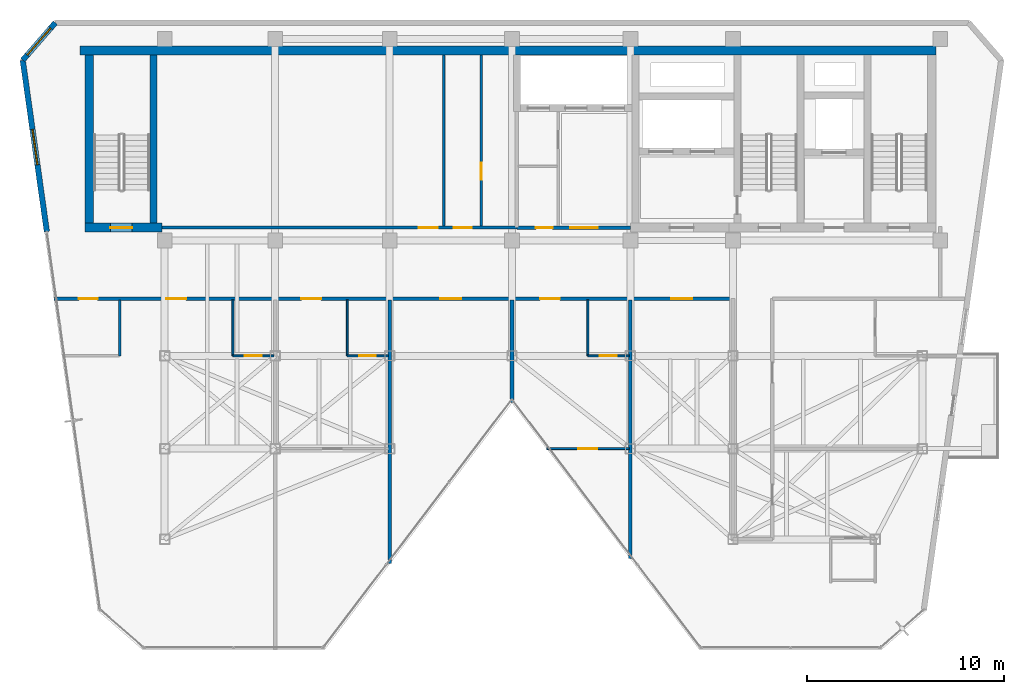
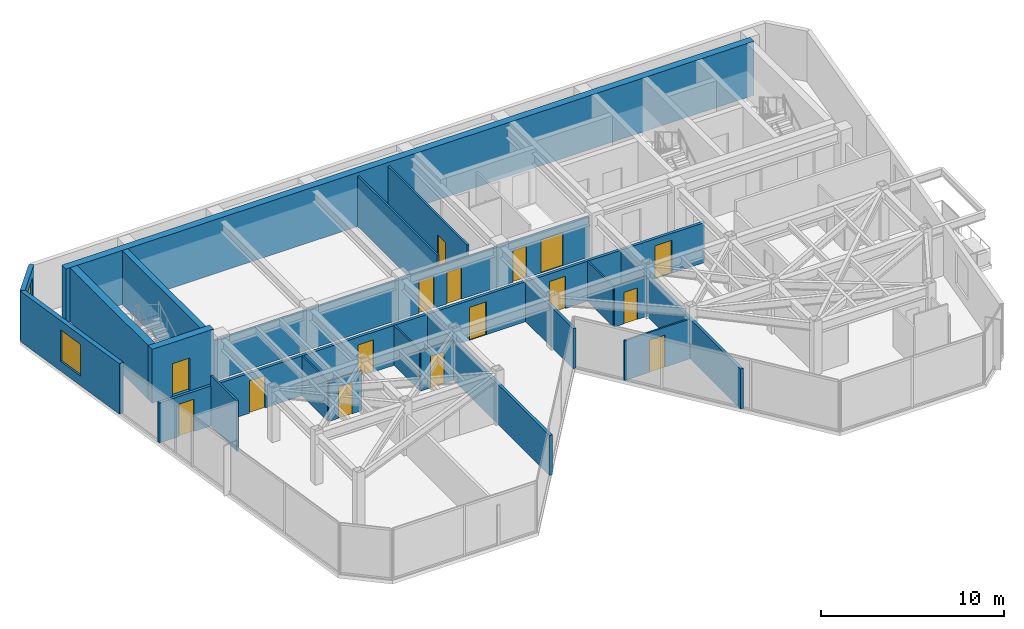
# One storey, part 16 of 20: 22 walls, 16 doors, 2 windows, 18 openings.
"""IFC4 building model written with IfcOpenShell, lengths in metres."""

from ifc_helpers import new_model, si_unit, direction, frame, frame_2d, origin, place, context, subcontext, project, spatial, rectangle, extrude, material, layer, layer_set, type_object, element, fill, save


model = new_model("IFC4")

# Units and contexts
model_context = context("Model", 3, precision=1e-05, world=origin(), true_north=direction((0.0, 1.0)))
body_context = subcontext(model_context, "Body", "Model", "MODEL_VIEW")
ifc_project = project(units=[si_unit("LENGTHUNIT", "METRE"), si_unit("AREAUNIT", "SQUARE_METRE"), si_unit("VOLUMEUNIT", "CUBIC_METRE"), si_unit("PLANEANGLEUNIT", "RADIAN"), si_unit("MASSUNIT", "GRAM", prefix="KILO")], contexts=[model_context])

# Site, building, storey
site_placement = place(None, origin())
site = spatial("IfcSite", under=ifc_project, at=site_placement, CompositionType="ELEMENT")
building_placement = place(site_placement, origin())
building = spatial("IfcBuilding", under=site, at=building_placement, Name="Kravanh Interchange Tower", CompositionType="ELEMENT")
storey_placement = place(building_placement, frame((0.0, 0.0, 238.199951171875)))
storey = spatial("IfcBuildingStorey", under=building, at=storey_placement, Name="L57", CompositionType="ELEMENT", Elevation=238.199951171875)

# Wall
ifc_material_1 = material(Name="Double Acoustic Gypsum Board and Mineral Wool")
ifc_layer_1 = layer(ifc_material_1, 0.1201171875)
ifc_layer_set_1 = layer_set([ifc_layer_1], Name="Acoustic Office Drywall Partition 120mm")
wall_type_1 = type_object("IfcWallType", Name="Acoustic Office Drywall Partition 120mm", PredefinedType="PARTITIONING", material=ifc_layer_set_1)
wall_1_placement = place(storey_placement, frame((41.35009765625, 38.068115234375, 0.0), z_axis=(0.0, 0.0, 1.0), x_axis=(0.0, 1.0, 0.0)))
element("IfcWall", 1, at=wall_1_placement, inside=storey, type_object=wall_type_1, Name="L57 Interior Partition 7", PredefinedType="PARTITIONING", context=body_context, shape_type="SweptSolid", body=[
    extrude(rectangle(XDim=8.673828125, YDim=0.1201171875, at=frame_2d((4.3369140625, 0.0))), origin(), (0.0, 0.0, 1.0), 3.360107421875),
])

# Wall, opening, door
wall_2_placement = place(storey_placement, frame((43.25, 38.068115234375, 0.0), z_axis=(0.0, 0.0, 1.0), x_axis=(0.0, 1.0, 0.0)))
wall_2 = element("IfcWall", 2, at=wall_2_placement, inside=storey, type_object=wall_type_1, Name="L57 Interior Partition 8", PredefinedType="PARTITIONING", context=body_context, shape_type="SweptSolid", body=[
    extrude(rectangle(XDim=8.673828125, YDim=0.1201171875, at=frame_2d((4.3369140625, 0.0))), origin(), (0.0, 0.0, 1.0), 3.360107421875),
])
opening_1_placement = place(wall_2_placement, frame((2.365966796875, 0.0, 0.0)))
opening_1 = element("IfcOpeningElement", 3, at=opening_1_placement, cuts=wall_2, Name="Opening D-85", PredefinedType="OPENING", context=body_context, shape_type="SweptSolid", body=[
    extrude(rectangle(XDim=0.85009765625, YDim=2.10009765625, at=frame_2d((0.425048828125, 1.050048828125))), frame((0.0, 0.070068359375, 0.0), z_axis=(0.0, -1.0, 0.0), x_axis=(1.0, 0.0, 0.0)), (0.0, 0.0, 1.0), 0.14013671875),
])
ifc_material_2 = material(Name="Engineered Teak Veneer Timber", Category="wood")
door_type_1 = type_object("IfcDoorType", Name="En-Suite Timber Door 850x2100", OperationType="NOTDEFINED", PredefinedType="DOOR", material=ifc_material_2)
door_1_placement = place(opening_1_placement, origin())
door_1 = element("IfcDoor", 4, at=door_1_placement, inside=storey, type_object=door_type_1, Name="L57 Pantry Store Inner Door", OperationType="SINGLE_SWING_LEFT", OverallHeight=2.10009765625, OverallWidth=0.85009765625, PredefinedType="DOOR", context=body_context, shape_type="SweptSolid", body=[
    extrude(rectangle(XDim=0.85009765625, YDim=2.10009765625, at=frame_2d((0.425048828125, 1.050048828125))), frame((0.0, 0.02490234375, 0.0), z_axis=(0.0, -1.0, 0.0), x_axis=(1.0, 0.0, 0.0)), (0.0, 0.0, 1.0), 0.050048828125),
])
fill(opening_1, door_1)

# Walls
wall_3_placement = place(storey_placement, frame((24.919921875, 31.5, 0.0), z_axis=(0.0, 0.0, 1.0), x_axis=(0.0, 1.0, 0.0)))
element("IfcWall", 5, at=wall_3_placement, inside=storey, type_object=wall_type_1, Name="L57 Interior Partition 15", PredefinedType="PARTITIONING", context=body_context, shape_type="SweptSolid", body=[
    extrude(rectangle(XDim=2.83203125, YDim=0.1201171875, at=frame_2d((1.416015625, 0.0))), origin(), (0.0, 0.0, 1.0), 3.360107421875),
])
ifc_material_3 = material(Name="Concrete C60/75", Category="concrete")
ifc_layer_2 = layer(ifc_material_3, 0.35009765625)
ifc_layer_set_2 = layer_set([ifc_layer_2], Name="Core Shear Wall Concrete C60/75 350mm")
wall_type_2 = type_object("IfcWallType", Name="Core Shear Wall Concrete C60/75 350mm", PredefinedType="SHEAR", material=ifc_layer_set_2)
wall_4_placement = place(storey_placement, frame((26.625, 38.22509765625, 0.0), z_axis=(0.0, 0.0, 1.0), x_axis=(0.0, 1.0, 0.0)))
element("IfcWall", 6, at=wall_4_placement, inside=storey, type_object=wall_type_2, Name="L57 Stair ST3 East Shear Wall", PredefinedType="SHEAR", context=body_context, shape_type="SweptSolid", body=[
    extrude(rectangle(XDim=8.52490234375, YDim=0.35009765625, at=frame_2d((4.262451171875, 0.0))), origin(), (0.0, 0.0, 1.0), 3.60009765625),
])
ifc_material_4 = material(Name="Concrete C60/75", Category="concrete")
ifc_layer_3 = layer(ifc_material_4, 0.449951171875)
ifc_layer_set_3 = layer_set([ifc_layer_3], Name="Core Shear Wall Concrete C60/75 450mm")
wall_type_3 = type_object("IfcWallType", Name="Core Shear Wall Concrete C60/75 450mm", PredefinedType="SHEAR", material=ifc_layer_set_3)
wall_5_placement = place(storey_placement, frame((22.89990234375, 46.97509765625, 0.0), z_axis=(0.0, 0.0, 1.0), x_axis=(1.0, 0.0, 0.0)))
element("IfcWall", 7, at=wall_5_placement, inside=storey, type_object=wall_type_3, Name="L57 North Core Shear Wall", PredefinedType="SHEAR", context=body_context, shape_type="SweptSolid", body=[
    extrude(rectangle(XDim=43.400146484375, YDim=0.449951171875, at=frame_2d((21.7001953125, 0.0))), origin(), (0.0, 0.0, 1.0), 3.60009765625),
])

# Wall, opening, door
wall_6_placement = place(storey_placement, frame((23.14990234375, 38.0, 0.0), z_axis=(0.0, 0.0, 1.0), x_axis=(1.0, 0.0, 0.0)))
wall_6 = element("IfcWall", 8, at=wall_6_placement, inside=storey, type_object=wall_type_3, Name="L57 Stair ST3 South Shear Wall", PredefinedType="SHEAR", context=body_context, shape_type="SweptSolid", body=[
    extrude(rectangle(XDim=3.900146484375, YDim=0.449951171875, at=frame_2d((1.9501953125, 0.0))), origin(), (0.0, 0.0, 1.0), 3.60009765625),
])
opening_2_placement = place(wall_6_placement, frame((1.300048828125, 0.0, 0.0)))
opening_2 = element("IfcOpeningElement", 9, at=opening_2_placement, cuts=wall_6, Name="Opening D-STAIR-110", PredefinedType="OPENING", context=body_context, shape_type="SweptSolid", body=[
    extrude(rectangle(XDim=1.10009765625, YDim=2.199951171875, at=frame_2d((0.550048828125, 1.10009765625))), frame((0.0, 0.23486328125, 0.0), z_axis=(0.0, -1.0, 0.0), x_axis=(1.0, 0.0, 0.0)), (0.0, 0.0, 1.0), 0.469970703125),
])
ifc_material_5 = material(Name="Structural Steel S355", Category="steel")
door_type_2 = type_object("IfcDoorType", Name="Fire-Rated Exit Stair Door 1100x2200", OperationType="NOTDEFINED", PredefinedType="DOOR", material=ifc_material_5)
door_2_placement = place(opening_2_placement, origin())
door_2 = element("IfcDoor", 10, at=door_2_placement, inside=storey, type_object=door_type_2, Name="L57 Exit Stair ST3 Door", OperationType="SINGLE_SWING_RIGHT", OverallHeight=2.199951171875, OverallWidth=1.10009765625, PredefinedType="DOOR", context=body_context, shape_type="SweptSolid", body=[
    extrude(rectangle(XDim=1.10009765625, YDim=2.199951171875, at=frame_2d((0.550048828125, 1.10009765625))), frame((0.0, 0.02490234375, 0.0), z_axis=(0.0, -1.0, 0.0), x_axis=(1.0, 0.0, 0.0)), (0.0, 0.0, 1.0), 0.050048828125),
])
fill(opening_2, door_2)

# Walls
wall_7_placement = place(storey_placement, frame((23.375, 38.22509765625, 0.0), z_axis=(0.0, 0.0, 1.0), x_axis=(0.0, 1.0, 0.0)))
element("IfcWall", 11, at=wall_7_placement, inside=storey, type_object=wall_type_3, Name="L57 Stair ST3 West Shear Wall", PredefinedType="SHEAR", context=body_context, shape_type="SweptSolid", body=[
    extrude(rectangle(XDim=8.52490234375, YDim=0.449951171875, at=frame_2d((4.262451171875, 0.0))), origin(), (0.0, 0.0, 1.0), 3.60009765625),
])
ifc_material_6 = material(Name="Moisture-Resistant Gypsum Board and Mineral Wool")
ifc_layer_4 = layer(ifc_material_6, 0.10009765625)
ifc_layer_set_4 = layer_set([ifc_layer_4], Name="En-Suite Moisture-Resistant Partition 100mm")
wall_type_4 = type_object("IfcWallType", Name="En-Suite Moisture-Resistant Partition 100mm", PredefinedType="PARTITIONING", material=ifc_layer_set_4)
wall_8_placement = place(storey_placement, frame((30.64990234375, 31.5, 0.0), z_axis=(0.0, 0.0, 1.0), x_axis=(0.0, 1.0, 0.0)))
element("IfcWall", 12, at=wall_8_placement, inside=storey, type_object=wall_type_4, Name="L57 Interior Partition 24", PredefinedType="PARTITIONING", context=body_context, shape_type="SweptSolid", body=[
    extrude(rectangle(XDim=2.83203125, YDim=0.10009765625, at=frame_2d((1.416015625, 0.0))), origin(), (0.0, 0.0, 1.0), 2.6640625),
])

# Wall, opening, door
wall_9_placement = place(storey_placement, frame((30.64990234375, 31.5, 0.0), z_axis=(0.0, 0.0, 1.0), x_axis=(1.0, 0.0, 0.0)))
wall_9 = element("IfcWall", 13, at=wall_9_placement, inside=storey, type_object=wall_type_4, Name="L57 Interior Partition 25", PredefinedType="PARTITIONING", context=body_context, shape_type="SweptSolid", body=[
    extrude(rectangle(XDim=2.08203125, YDim=0.10009765625, at=frame_2d((1.041015625, 0.0))), origin(), (0.0, 0.0, 1.0), 2.6640625),
])
opening_3_placement = place(wall_9_placement, frame((0.607421875, 0.0, 0.0)))
opening_3 = element("IfcOpeningElement", 14, at=opening_3_placement, cuts=wall_9, Name="Opening D-85", PredefinedType="OPENING", context=body_context, shape_type="SweptSolid", body=[
    extrude(rectangle(XDim=0.85009765625, YDim=2.10009765625, at=frame_2d((0.425048828125, 1.050048828125))), frame((0.0, 0.06005859375, 0.0), z_axis=(0.0, -1.0, 0.0), x_axis=(1.0, 0.0, 0.0)), (0.0, 0.0, 1.0), 0.1201171875),
])
door_3_placement = place(opening_3_placement, origin())
door_3 = element("IfcDoor", 15, at=door_3_placement, inside=storey, type_object=door_type_1, Name="L57 En-suite Bathroom Door", OperationType="SINGLE_SWING_RIGHT", OverallHeight=2.10009765625, OverallWidth=0.85009765625, PredefinedType="DOOR", context=body_context, shape_type="SweptSolid", body=[
    extrude(rectangle(XDim=0.85009765625, YDim=2.10009765625, at=frame_2d((0.425048828125, 1.050048828125))), frame((0.0, 0.02490234375, 0.0), z_axis=(0.0, -1.0, 0.0), x_axis=(1.0, 0.0, 0.0)), (0.0, 0.0, 1.0), 0.050048828125),
])
fill(opening_3, door_3)

# Wall
wall_10_placement = place(storey_placement, frame((36.449951171875, 31.5, 0.0), z_axis=(0.0, 0.0, 1.0), x_axis=(0.0, 1.0, 0.0)))
element("IfcWall", 16, at=wall_10_placement, inside=storey, type_object=wall_type_4, Name="L57 Interior Partition 28", PredefinedType="PARTITIONING", context=body_context, shape_type="SweptSolid", body=[
    extrude(rectangle(XDim=2.83203125, YDim=0.10009765625, at=frame_2d((1.416015625, 0.0))), origin(), (0.0, 0.0, 1.0), 2.6640625),
])

# Wall, opening, door
wall_11_placement = place(storey_placement, frame((36.449951171875, 31.5, 0.0), z_axis=(0.0, 0.0, 1.0), x_axis=(1.0, 0.0, 0.0)))
wall_11 = element("IfcWall", 17, at=wall_11_placement, inside=storey, type_object=wall_type_4, Name="L57 Interior Partition 29", PredefinedType="PARTITIONING", context=body_context, shape_type="SweptSolid", body=[
    extrude(rectangle(XDim=2.08203125, YDim=0.10009765625, at=frame_2d((1.041015625, 0.0))), origin(), (0.0, 0.0, 1.0), 2.6640625),
])
opening_4_placement = place(wall_11_placement, frame((0.607421875, 0.0, 0.0)))
opening_4 = element("IfcOpeningElement", 18, at=opening_4_placement, cuts=wall_11, Name="Opening D-85", PredefinedType="OPENING", context=body_context, shape_type="SweptSolid", body=[
    extrude(rectangle(XDim=0.85009765625, YDim=2.10009765625, at=frame_2d((0.425048828125, 1.050048828125))), frame((0.0, 0.06005859375, 0.0), z_axis=(0.0, -1.0, 0.0), x_axis=(1.0, 0.0, 0.0)), (0.0, 0.0, 1.0), 0.1201171875),
])
door_4_placement = place(opening_4_placement, origin())
door_4 = element("IfcDoor", 19, at=door_4_placement, inside=storey, type_object=door_type_1, Name="L57 En-suite Bathroom Door", OperationType="SINGLE_SWING_LEFT", OverallHeight=2.10009765625, OverallWidth=0.85009765625, PredefinedType="DOOR", context=body_context, shape_type="SweptSolid", body=[
    extrude(rectangle(XDim=0.85009765625, YDim=2.10009765625, at=frame_2d((0.425048828125, 1.050048828125))), frame((0.0, 0.02490234375, 0.0), z_axis=(0.0, -1.0, 0.0), x_axis=(1.0, 0.0, 0.0)), (0.0, 0.0, 1.0), 0.050048828125),
])
fill(opening_4, door_4)

wall_12_placement = place(storey_placement, frame((46.56689453125, 26.800048828125, 0.0), z_axis=(0.0, 0.0, 1.0), x_axis=(1.0, 0.0, 0.0)))
wall_12 = element("IfcWall", 20, at=wall_12_placement, inside=storey, type_object=wall_type_4, Name="L57 Interior Partition 32", PredefinedType="PARTITIONING", context=body_context, shape_type="SweptSolid", body=[
    extrude(rectangle(XDim=4.1650390625, YDim=0.10009765625, at=frame_2d((2.08251953125, 0.0))), origin(), (0.0, 0.0, 1.0), 2.6640625),
])
opening_5_placement = place(wall_12_placement, frame((1.6015625, 0.0, 0.0)))
opening_5 = element("IfcOpeningElement", 21, at=opening_5_placement, cuts=wall_12, Name="Opening D-95", PredefinedType="OPENING", context=body_context, shape_type="SweptSolid", body=[
    extrude(rectangle(XDim=0.949951171875, YDim=2.14990234375, at=frame_2d((0.47509765625, 1.074951171875))), frame((0.0, 0.06005859375, 0.0), z_axis=(0.0, -1.0, 0.0), x_axis=(1.0, 0.0, 0.0)), (0.0, 0.0, 1.0), 0.1201171875),
])
ifc_material_7 = material(Name="Laminate Solid-Core Timber", Category="wood")
door_type_3 = type_object("IfcDoorType", Name="Accessible Restroom Door 950x2150", OperationType="NOTDEFINED", PredefinedType="DOOR", material=ifc_material_7)
door_5_placement = place(opening_5_placement, origin())
door_5 = element("IfcDoor", 22, at=door_5_placement, inside=storey, type_object=door_type_3, Name="L57 Sunroom Alcove Inner Door", OperationType="SINGLE_SWING_LEFT", OverallHeight=2.14990234375, OverallWidth=0.949951171875, PredefinedType="DOOR", context=body_context, shape_type="SweptSolid", body=[
    extrude(rectangle(XDim=0.949951171875, YDim=2.14990234375, at=frame_2d((0.47509765625, 1.074951171875))), frame((0.0, 0.02490234375, 0.0), z_axis=(0.0, -1.0, 0.0), x_axis=(1.0, 0.0, 0.0)), (0.0, 0.0, 1.0), 0.050048828125),
])
fill(opening_5, door_5)

# Wall
wall_13_placement = place(storey_placement, frame((48.64990234375, 31.5, 0.0), z_axis=(0.0, 0.0, 1.0), x_axis=(0.0, 1.0, 0.0)))
element("IfcWall", 23, at=wall_13_placement, inside=storey, type_object=wall_type_4, Name="L57 Interior Partition 33", PredefinedType="PARTITIONING", context=body_context, shape_type="SweptSolid", body=[
    extrude(rectangle(XDim=2.83203125, YDim=0.10009765625, at=frame_2d((1.416015625, 0.0))), origin(), (0.0, 0.0, 1.0), 2.6640625),
])

# Wall, opening, door
wall_14_placement = place(storey_placement, frame((48.64990234375, 31.5, 0.0), z_axis=(0.0, 0.0, 1.0), x_axis=(1.0, 0.0, 0.0)))
wall_14 = element("IfcWall", 24, at=wall_14_placement, inside=storey, type_object=wall_type_4, Name="L57 Interior Partition 34", PredefinedType="PARTITIONING", context=body_context, shape_type="SweptSolid", body=[
    extrude(rectangle(XDim=2.08203125, YDim=0.10009765625, at=frame_2d((1.041015625, 0.0))), origin(), (0.0, 0.0, 1.0), 2.6640625),
])
opening_6_placement = place(wall_14_placement, frame((0.607421875, 0.0, 0.0)))
opening_6 = element("IfcOpeningElement", 25, at=opening_6_placement, cuts=wall_14, Name="Opening D-85", PredefinedType="OPENING", context=body_context, shape_type="SweptSolid", body=[
    extrude(rectangle(XDim=0.85009765625, YDim=2.10009765625, at=frame_2d((0.425048828125, 1.050048828125))), frame((0.0, 0.06005859375, 0.0), z_axis=(0.0, -1.0, 0.0), x_axis=(1.0, 0.0, 0.0)), (0.0, 0.0, 1.0), 0.1201171875),
])
door_6_placement = place(opening_6_placement, origin())
door_6 = element("IfcDoor", 26, at=door_6_placement, inside=storey, type_object=door_type_1, Name="L57 En-suite Bathroom Door", OperationType="SINGLE_SWING_LEFT", OverallHeight=2.10009765625, OverallWidth=0.85009765625, PredefinedType="DOOR", context=body_context, shape_type="SweptSolid", body=[
    extrude(rectangle(XDim=0.85009765625, YDim=2.10009765625, at=frame_2d((0.425048828125, 1.050048828125))), frame((0.0, 0.02490234375, 0.0), z_axis=(0.0, -1.0, 0.0), x_axis=(1.0, 0.0, 0.0)), (0.0, 0.0, 1.0), 0.050048828125),
])
fill(opening_6, door_6)

# Wall, opening, window
ifc_material_8 = material(Name="Insulated Precast Concrete C40/50 with Bronze Cladding", Category="concrete")
ifc_layer_5 = layer(ifc_material_8, 0.280029296875)
ifc_layer_set_5 = layer_set([ifc_layer_5], Name="Exterior Insulated Concrete C40/50 Bronze Spandrel Wall 280mm")
wall_type_5 = type_object("IfcWallType", Name="Exterior Insulated Concrete C40/50 Bronze Spandrel Wall 280mm", PredefinedType="STANDARD", material=ifc_layer_set_5)
wall_15_placement = place(storey_placement, frame((21.224853515625, 37.800048828125, 0.0), z_axis=(0.0, 0.0, 1.0), x_axis=(-0.139179310088, 0.990267196086, 0.0)))
wall_15 = element("IfcWall", 27, at=wall_15_placement, inside=storey, type_object=wall_type_5, Name="L57 Exterior Wall 1", PredefinedType="STANDARD", context=body_context, shape_type="SweptSolid", body=[
    extrude(rectangle(XDim=8.767333984375, YDim=0.280029296875, at=frame_2d((4.3837890625, 0.0))), origin(), (0.0, 0.0, 1.0), 3.360107421875),
])
opening_7_placement = place(wall_15_placement, frame((3.422607421875, 0.0, 0.64990234375)))
opening_7 = element("IfcOpeningElement", 28, at=opening_7_placement, cuts=wall_15, Name="Opening WN-180X210", PredefinedType="OPENING", context=body_context, shape_type="SweptSolid", body=[
    extrude(rectangle(XDim=1.800048828125, YDim=2.10009765625, at=frame_2d((0.89990234375, 1.050048828125))), frame((0.0, 0.14990234375, 0.0), z_axis=(0.0, -1.0, 0.0), x_axis=(1.0, 0.0, 0.0)), (0.0, 0.0, 1.0), 0.300048828125),
])
ifc_material_9 = material(Name="Thermally Broken Bronze Aluminium and Low-E Glass", Category="aluminium")
window_type = type_object("IfcWindowType", Name="Tower Pier Window 1800x2100", PartitioningType="SINGLE_PANEL", PredefinedType="WINDOW", material=ifc_material_9)
window_1_placement = place(opening_7_placement, origin())
window_1 = element("IfcWindow", 29, at=window_1_placement, inside=storey, type_object=window_type, Name="L57 Corner Window 1", OverallHeight=2.10009765625, OverallWidth=1.800048828125, PartitioningType="SINGLE_PANEL", PredefinedType="WINDOW", context=body_context, shape_type="SweptSolid", body=[
    extrude(rectangle(XDim=1.800048828125, YDim=2.10009765625, at=frame_2d((0.89990234375, 1.050048828125))), frame((0.0, 0.030029296875, 0.0), z_axis=(0.0, -1.0, 0.0), x_axis=(1.0, 0.0, 0.0)), (0.0, 0.0, 1.0), 0.06005859375),
])
fill(opening_7, window_1)

wall_16_placement = place(storey_placement, frame((20.004638671875, 46.48193359375, 0.0), z_axis=(0.0, 0.0, 1.0), x_axis=(0.656123436343, 0.75465358694, 0.0)))
wall_16 = element("IfcWall", 30, at=wall_16_placement, inside=storey, type_object=wall_type_5, Name="L57 Exterior Wall 2", PredefinedType="STANDARD", context=body_context, shape_type="SweptSolid", body=[
    extrude(rectangle(XDim=2.514892578125, YDim=0.280029296875, at=frame_2d((1.25732421875, 0.0))), origin(), (0.0, 0.0, 1.0), 3.360107421875),
])
opening_8_placement = place(wall_16_placement, frame((0.352783203125, 0.0, 0.64990234375)))
opening_8 = element("IfcOpeningElement", 31, at=opening_8_placement, cuts=wall_16, Name="Opening WN-180X210", PredefinedType="OPENING", context=body_context, shape_type="SweptSolid", body=[
    extrude(rectangle(XDim=1.800048828125, YDim=2.10009765625, at=frame_2d((0.89990234375, 1.050048828125))), frame((0.0, 0.14990234375, 0.0), z_axis=(0.0, -1.0, 0.0), x_axis=(1.0, 0.0, 0.0)), (0.0, 0.0, 1.0), 0.300048828125),
])
window_2_placement = place(opening_8_placement, origin())
window_2 = element("IfcWindow", 32, at=window_2_placement, inside=storey, type_object=window_type, Name="L57 Corner Window 2", OverallHeight=2.10009765625, OverallWidth=1.800048828125, PartitioningType="SINGLE_PANEL", PredefinedType="WINDOW", context=body_context, shape_type="SweptSolid", body=[
    extrude(rectangle(XDim=1.800048828125, YDim=2.10009765625, at=frame_2d((0.89990234375, 1.050048828125))), frame((0.0, 0.030029296875, 0.0), z_axis=(0.0, -1.0, 0.0), x_axis=(1.0, 0.0, 0.0)), (0.0, 0.0, 1.0), 0.06005859375),
])
fill(opening_8, window_2)

# Wall, openings, doors
ifc_material_10 = material(Name="Autoclaved Aerated Concrete C30/37 Blockwork", Category="masonry")
ifc_layer_6 = layer(ifc_material_10, 0.179931640625)
ifc_layer_set_6 = layer_set([ifc_layer_6], Name="Fire-Rated Lobby and Corridor Wall Concrete C30/37 180mm")
wall_type_6 = type_object("IfcWallType", Name="Fire-Rated Lobby and Corridor Wall Concrete C30/37 180mm", PredefinedType="STANDARD", material=ifc_layer_set_6)
wall_17_placement = place(storey_placement, frame((45.050048828125, 38.0, 0.0), z_axis=(0.0, 0.0, 1.0), x_axis=(1.0, 0.0, 0.0)))
wall_17 = element("IfcWall", 33, at=wall_17_placement, inside=storey, type_object=wall_type_6, Name="L57 High-Rise Lift Lobby Wall 1", PredefinedType="STANDARD", context=body_context, shape_type="SweptSolid", body=[
    extrude(rectangle(XDim=5.75, YDim=0.179931640625, at=frame_2d((2.875, 0.0))), origin(), (0.0, 0.0, 1.0), 2.6640625),
])
opening_9_placement = place(wall_17_placement, frame((0.9541015625, 0.0, 0.0)))
opening_9 = element("IfcOpeningElement", 34, at=opening_9_placement, cuts=wall_17, Name="Opening D-85", PredefinedType="OPENING", context=body_context, shape_type="SweptSolid", body=[
    extrude(rectangle(XDim=0.85009765625, YDim=2.10009765625, at=frame_2d((0.425048828125, 1.050048828125))), frame((0.0, 0.10009765625, 0.0), z_axis=(0.0, -1.0, 0.0), x_axis=(1.0, 0.0, 0.0)), (0.0, 0.0, 1.0), 0.199951171875),
])
opening_10_placement = place(wall_17_placement, frame((2.699951171875, 0.0, 0.0)))
opening_10 = element("IfcOpeningElement", 35, at=opening_10_placement, cuts=wall_17, Name="Opening DBL-140", PredefinedType="OPENING", context=body_context, shape_type="SweptSolid", body=[
    extrude(rectangle(XDim=1.39990234375, YDim=2.199951171875, at=frame_2d((0.699951171875, 1.10009765625))), frame((0.0, 0.10009765625, 0.0), z_axis=(0.0, -1.0, 0.0), x_axis=(1.0, 0.0, 0.0)), (0.0, 0.0, 1.0), 0.199951171875),
])
door_7_placement = place(opening_9_placement, origin())
door_7 = element("IfcDoor", 36, at=door_7_placement, inside=storey, type_object=door_type_1, Name="L57 Core Housekeeping Utility Door", OperationType="SINGLE_SWING_LEFT", OverallHeight=2.10009765625, OverallWidth=0.85009765625, PredefinedType="DOOR", context=body_context, shape_type="SweptSolid", body=[
    extrude(rectangle(XDim=0.85009765625, YDim=2.10009765625, at=frame_2d((0.425048828125, 1.050048828125))), frame((0.0, 0.02490234375, 0.0), z_axis=(0.0, -1.0, 0.0), x_axis=(1.0, 0.0, 0.0)), (0.0, 0.0, 1.0), 0.050048828125),
])
fill(opening_9, door_7)
ifc_material_11 = material(Name="Acoustic Bronze-Framed Glass", Category="glass")
door_type_4 = type_object("IfcDoorType", Name="Hospitality Lounge Double Door 1400x2200", OperationType="DOUBLE_DOOR_SINGLE_SWING", PredefinedType="DOOR", material=ifc_material_11)
door_8_placement = place(opening_10_placement, origin())
door_8 = element("IfcDoor", 37, at=door_8_placement, inside=storey, type_object=door_type_4, Name="L57 High-Rise Lift Lobby Door", OperationType="DOUBLE_DOOR_SINGLE_SWING", OverallHeight=2.199951171875, OverallWidth=1.39990234375, PredefinedType="DOOR", context=body_context, shape_type="SweptSolid", body=[
    extrude(rectangle(XDim=1.39990234375, YDim=2.199951171875, at=frame_2d((0.699951171875, 1.10009765625))), frame((0.0, 0.02490234375, 0.0), z_axis=(0.0, -1.0, 0.0), x_axis=(1.0, 0.0, 0.0)), (0.0, 0.0, 1.0), 0.050048828125),
])
fill(opening_10, door_8)

wall_18_placement = place(storey_placement, frame((21.5966796875, 34.39990234375, 0.0), z_axis=(0.0, 0.0, 1.0), x_axis=(1.0, 0.0, 0.0)))
wall_18 = element("IfcWall", 38, at=wall_18_placement, inside=storey, type_object=wall_type_6, Name="L57 Interior Partition 9", PredefinedType="STANDARD", context=body_context, shape_type="SweptSolid", body=[
    extrude(rectangle(XDim=34.4033203125, YDim=0.179931640625, at=frame_2d((17.20166015625, 0.0))), origin(), (0.0, 0.0, 1.0), 2.6640625),
])
opening_11_placement = place(wall_18_placement, frame((1.257568359375, 0.0, 0.0)))
opening_11 = element("IfcOpeningElement", 39, at=opening_11_placement, cuts=wall_18, Name="Opening D-95", PredefinedType="OPENING", context=body_context, shape_type="SweptSolid", body=[
    extrude(rectangle(XDim=0.949951171875, YDim=2.14990234375, at=frame_2d((0.47509765625, 1.074951171875))), frame((0.0, 0.10009765625, 0.0), z_axis=(0.0, -1.0, 0.0), x_axis=(1.0, 0.0, 0.0)), (0.0, 0.0, 1.0), 0.199951171875),
])
opening_12_placement = place(wall_18_placement, frame((5.688232421875, 0.0, 0.0)))
opening_12 = element("IfcOpeningElement", 40, at=opening_12_placement, cuts=wall_18, Name="Opening D-HOTEL-100", PredefinedType="OPENING", context=body_context, shape_type="SweptSolid", body=[
    extrude(rectangle(XDim=1.0, YDim=2.14990234375, at=frame_2d((0.5, 1.074951171875))), frame((0.0, 0.10009765625, 0.0), z_axis=(0.0, -1.0, 0.0), x_axis=(1.0, 0.0, 0.0)), (0.0, 0.0, 1.0), 0.199951171875),
])
opening_13_placement = place(wall_18_placement, frame((12.5283203125, 0.0, 0.0)))
opening_13 = element("IfcOpeningElement", 41, at=opening_13_placement, cuts=wall_18, Name="Opening D-HOTEL-100", PredefinedType="OPENING", context=body_context, shape_type="SweptSolid", body=[
    extrude(rectangle(XDim=1.0, YDim=2.14990234375, at=frame_2d((0.5, 1.074951171875))), frame((0.0, 0.10009765625, 0.0), z_axis=(0.0, -1.0, 0.0), x_axis=(1.0, 0.0, 0.0)), (0.0, 0.0, 1.0), 0.199951171875),
])
opening_14_placement = place(wall_18_placement, frame((19.578369140625, 0.0, 0.0)))
opening_14 = element("IfcOpeningElement", 42, at=opening_14_placement, cuts=wall_18, Name="Opening D-105", PredefinedType="OPENING", context=body_context, shape_type="SweptSolid", body=[
    extrude(rectangle(XDim=1.050048828125, YDim=2.199951171875, at=frame_2d((0.52490234375, 1.10009765625))), frame((0.0, 0.10009765625, 0.0), z_axis=(0.0, -1.0, 0.0), x_axis=(1.0, 0.0, 0.0)), (0.0, 0.0, 1.0), 0.199951171875),
])
opening_15_placement = place(wall_18_placement, frame((24.62841796875, 0.0, 0.0)))
opening_15 = element("IfcOpeningElement", 43, at=opening_15_placement, cuts=wall_18, Name="Opening D-HOTEL-100", PredefinedType="OPENING", context=body_context, shape_type="SweptSolid", body=[
    extrude(rectangle(XDim=1.0, YDim=2.14990234375, at=frame_2d((0.5, 1.074951171875))), frame((0.0, 0.10009765625, 0.0), z_axis=(0.0, -1.0, 0.0), x_axis=(1.0, 0.0, 0.0)), (0.0, 0.0, 1.0), 0.199951171875),
])
opening_16_placement = place(wall_18_placement, frame((31.2783203125, 0.0, 0.0)))
opening_16 = element("IfcOpeningElement", 44, at=opening_16_placement, cuts=wall_18, Name="Opening D-105", PredefinedType="OPENING", context=body_context, shape_type="SweptSolid", body=[
    extrude(rectangle(XDim=1.050048828125, YDim=2.199951171875, at=frame_2d((0.52490234375, 1.10009765625))), frame((0.0, 0.10009765625, 0.0), z_axis=(0.0, -1.0, 0.0), x_axis=(1.0, 0.0, 0.0)), (0.0, 0.0, 1.0), 0.199951171875),
])
door_9_placement = place(opening_11_placement, origin())
door_9 = element("IfcDoor", 45, at=door_9_placement, inside=storey, type_object=door_type_3, Name="L57 Accessible WC Door", OperationType="SINGLE_SWING_RIGHT", OverallHeight=2.14990234375, OverallWidth=0.949951171875, PredefinedType="DOOR", context=body_context, shape_type="SweptSolid", body=[
    extrude(rectangle(XDim=0.949951171875, YDim=2.14990234375, at=frame_2d((0.47509765625, 1.074951171875))), frame((0.0, 0.02490234375, 0.0), z_axis=(0.0, -1.0, 0.0), x_axis=(1.0, 0.0, 0.0)), (0.0, 0.0, 1.0), 0.050048828125),
])
fill(opening_11, door_9)
ifc_material_12 = material(Name="Fire-Rated Solid Timber Leaf", Category="wood")
door_type_5 = type_object("IfcDoorType", Name="Fire-Rated Suite Entrance Door 1000x2150", OperationType="NOTDEFINED", PredefinedType="DOOR", material=ifc_material_12)
door_10_placement = place(opening_12_placement, origin())
door_10 = element("IfcDoor", 46, at=door_10_placement, inside=storey, type_object=door_type_5, Name="L57 Hotel Guest Room W1 Entrance Door", OperationType="SINGLE_SWING_LEFT", OverallHeight=2.14990234375, OverallWidth=1.0, PredefinedType="DOOR", context=body_context, shape_type="SweptSolid", body=[
    extrude(rectangle(XDim=1.0, YDim=2.14990234375, at=frame_2d((0.5, 1.074951171875))), frame((0.0, 0.02490234375, 0.0), z_axis=(0.0, -1.0, 0.0), x_axis=(1.0, 0.0, 0.0)), (0.0, 0.0, 1.0), 0.050048828125),
])
fill(opening_12, door_10)
door_11_placement = place(opening_13_placement, origin())
door_11 = element("IfcDoor", 47, at=door_11_placement, inside=storey, type_object=door_type_5, Name="L57 Hotel Guest Room W2 Entrance Door", OperationType="SINGLE_SWING_RIGHT", OverallHeight=2.14990234375, OverallWidth=1.0, PredefinedType="DOOR", context=body_context, shape_type="SweptSolid", body=[
    extrude(rectangle(XDim=1.0, YDim=2.14990234375, at=frame_2d((0.5, 1.074951171875))), frame((0.0, 0.02490234375, 0.0), z_axis=(0.0, -1.0, 0.0), x_axis=(1.0, 0.0, 0.0)), (0.0, 0.0, 1.0), 0.050048828125),
])
fill(opening_13, door_11)
door_12_placement = place(opening_15_placement, origin())
door_12 = element("IfcDoor", 48, at=door_12_placement, inside=storey, type_object=door_type_5, Name="L57 Hotel Guest Room W3 Entrance Door", OperationType="SINGLE_SWING_RIGHT", OverallHeight=2.14990234375, OverallWidth=1.0, PredefinedType="DOOR", context=body_context, shape_type="SweptSolid", body=[
    extrude(rectangle(XDim=1.0, YDim=2.14990234375, at=frame_2d((0.5, 1.074951171875))), frame((0.0, 0.02490234375, 0.0), z_axis=(0.0, -1.0, 0.0), x_axis=(1.0, 0.0, 0.0)), (0.0, 0.0, 1.0), 0.050048828125),
])
fill(opening_15, door_12)
ifc_material_13 = material(Name="Acoustic Glazed Oak and Aluminium", Category="aluminium")
door_type_6 = type_object("IfcDoorType", Name="Office Workplace Door 1050x2200", OperationType="NOTDEFINED", PredefinedType="DOOR", material=ifc_material_13)
door_13_placement = place(opening_14_placement, origin())
door_13 = element("IfcDoor", 49, at=door_13_placement, inside=storey, type_object=door_type_6, Name="L57 Club Reading Lounge Door", OperationType="SINGLE_SWING_RIGHT", OverallHeight=2.199951171875, OverallWidth=1.050048828125, PredefinedType="DOOR", context=body_context, shape_type="SweptSolid", body=[
    extrude(rectangle(XDim=1.050048828125, YDim=2.199951171875, at=frame_2d((0.52490234375, 1.10009765625))), frame((0.0, 0.02490234375, 0.0), z_axis=(0.0, -1.0, 0.0), x_axis=(1.0, 0.0, 0.0)), (0.0, 0.0, 1.0), 0.050048828125),
])
fill(opening_14, door_13)
door_14_placement = place(opening_16_placement, origin())
door_14 = element("IfcDoor", 50, at=door_14_placement, inside=storey, type_object=door_type_6, Name="L57 Sommelier Kitchenette Door", OperationType="SINGLE_SWING_RIGHT", OverallHeight=2.199951171875, OverallWidth=1.050048828125, PredefinedType="DOOR", context=body_context, shape_type="SweptSolid", body=[
    extrude(rectangle(XDim=1.050048828125, YDim=2.199951171875, at=frame_2d((0.52490234375, 1.10009765625))), frame((0.0, 0.02490234375, 0.0), z_axis=(0.0, -1.0, 0.0), x_axis=(1.0, 0.0, 0.0)), (0.0, 0.0, 1.0), 0.050048828125),
])
fill(opening_16, door_14)

# Walls
wall_19_placement = place(storey_placement, frame((38.60009765625, 20.966796875, 0.0), z_axis=(0.0, 0.0, 1.0), x_axis=(0.0, 1.0, 0.0)))
element("IfcWall", 51, at=wall_19_placement, inside=storey, type_object=wall_type_6, Name="L57 Interior Partition 30", PredefinedType="STANDARD", context=body_context, shape_type="SweptSolid", body=[
    extrude(rectangle(XDim=13.365234375, YDim=0.179931640625, at=frame_2d((6.6826171875, 0.0))), origin(), (0.0, 0.0, 1.0), 2.6640625),
])
wall_20_placement = place(storey_placement, frame((44.800048828125, 29.124755859375, 0.0), z_axis=(0.0, 0.0, 1.0), x_axis=(0.0, 1.0, 0.0)))
element("IfcWall", 52, at=wall_20_placement, inside=storey, type_object=wall_type_6, Name="L57 Interior Partition 31", PredefinedType="STANDARD", context=body_context, shape_type="SweptSolid", body=[
    extrude(rectangle(XDim=5.207275390625, YDim=0.179931640625, at=frame_2d((2.603515625, 0.0))), origin(), (0.0, 0.0, 1.0), 2.6640625),
])
wall_21_placement = place(storey_placement, frame((50.800048828125, 21.22998046875, 0.0), z_axis=(0.0, 0.0, 1.0), x_axis=(0.0, 1.0, 0.0)))
element("IfcWall", 53, at=wall_21_placement, inside=storey, type_object=wall_type_6, Name="L57 Interior Partition 35", PredefinedType="STANDARD", context=body_context, shape_type="SweptSolid", body=[
    extrude(rectangle(XDim=13.10205078125, YDim=0.179931640625, at=frame_2d((6.551025390625, 0.0))), origin(), (0.0, 0.0, 1.0), 2.6640625),
])

# Wall, openings, doors
ifc_material_14 = material(Name="Twin Stud Acoustic Gypsum Board Wall")
ifc_layer_7 = layer(ifc_material_14, 0.14990234375)
ifc_layer_set_7 = layer_set([ifc_layer_7], Name="Medium-Duty Acoustic Partition 150mm")
wall_type_7 = type_object("IfcWallType", Name="Medium-Duty Acoustic Partition 150mm", PredefinedType="PARTITIONING", material=ifc_layer_set_7)
wall_22_placement = place(storey_placement, frame((27.050048828125, 38.0, 0.0), z_axis=(0.0, 0.0, 1.0), x_axis=(1.0, 0.0, 0.0)))
wall_22 = element("IfcWall", 54, at=wall_22_placement, inside=storey, type_object=wall_type_7, Name="L57 Interior Partition 5", PredefinedType="PARTITIONING", context=body_context, shape_type="SweptSolid", body=[
    extrude(rectangle(XDim=18.0, YDim=0.14990234375, at=frame_2d((9.0, 0.0))), origin(), (0.0, 0.0, 1.0), 2.6640625),
])
opening_17_placement = place(wall_22_placement, frame((13.02490234375, 0.0, 0.0)))
opening_17 = element("IfcOpeningElement", 55, at=opening_17_placement, cuts=wall_22, Name="Opening D-95", PredefinedType="OPENING", context=body_context, shape_type="SweptSolid", body=[
    extrude(rectangle(XDim=0.949951171875, YDim=2.14990234375, at=frame_2d((0.47509765625, 1.074951171875))), frame((0.0, 0.0849609375, 0.0), z_axis=(0.0, -1.0, 0.0), x_axis=(1.0, 0.0, 0.0)), (0.0, 0.0, 1.0), 0.169921875),
])
opening_18_placement = place(wall_22_placement, frame((14.800048828125, 0.0, 0.0)))
opening_18 = element("IfcOpeningElement", 56, at=opening_18_placement, cuts=wall_22, Name="Opening D-90", PredefinedType="OPENING", context=body_context, shape_type="SweptSolid", body=[
    extrude(rectangle(XDim=0.89990234375, YDim=2.10009765625, at=frame_2d((0.449951171875, 1.050048828125))), frame((0.0, 0.0849609375, 0.0), z_axis=(0.0, -1.0, 0.0), x_axis=(1.0, 0.0, 0.0)), (0.0, 0.0, 1.0), 0.169921875),
])
door_15_placement = place(opening_17_placement, origin())
door_15 = element("IfcDoor", 57, at=door_15_placement, inside=storey, type_object=door_type_3, Name="L57 North Library Lounge Door", OperationType="SINGLE_SWING_LEFT", OverallHeight=2.14990234375, OverallWidth=0.949951171875, PredefinedType="DOOR", context=body_context, shape_type="SweptSolid", body=[
    extrude(rectangle(XDim=0.949951171875, YDim=2.14990234375, at=frame_2d((0.47509765625, 1.074951171875))), frame((0.0, 0.02490234375, 0.0), z_axis=(0.0, -1.0, 0.0), x_axis=(1.0, 0.0, 0.0)), (0.0, 0.0, 1.0), 0.050048828125),
])
fill(opening_17, door_15)
ifc_material_15 = material(Name="Painted Solid-Core Timber", Category="wood")
door_type_7 = type_object("IfcDoorType", Name="Service Room Door 900x2100", OperationType="NOTDEFINED", PredefinedType="DOOR", material=ifc_material_15)
door_16_placement = place(opening_18_placement, origin())
door_16 = element("IfcDoor", 58, at=door_16_placement, inside=storey, type_object=door_type_7, Name="L57 Housekeeping Room Door", OperationType="SINGLE_SWING_RIGHT", OverallHeight=2.10009765625, OverallWidth=0.89990234375, PredefinedType="DOOR", context=body_context, shape_type="SweptSolid", body=[
    extrude(rectangle(XDim=0.89990234375, YDim=2.10009765625, at=frame_2d((0.449951171875, 1.050048828125))), frame((0.0, 0.02490234375, 0.0), z_axis=(0.0, -1.0, 0.0), x_axis=(1.0, 0.0, 0.0)), (0.0, 0.0, 1.0), 0.050048828125),
])
fill(opening_18, door_16)

save(model, "model.ifc")
